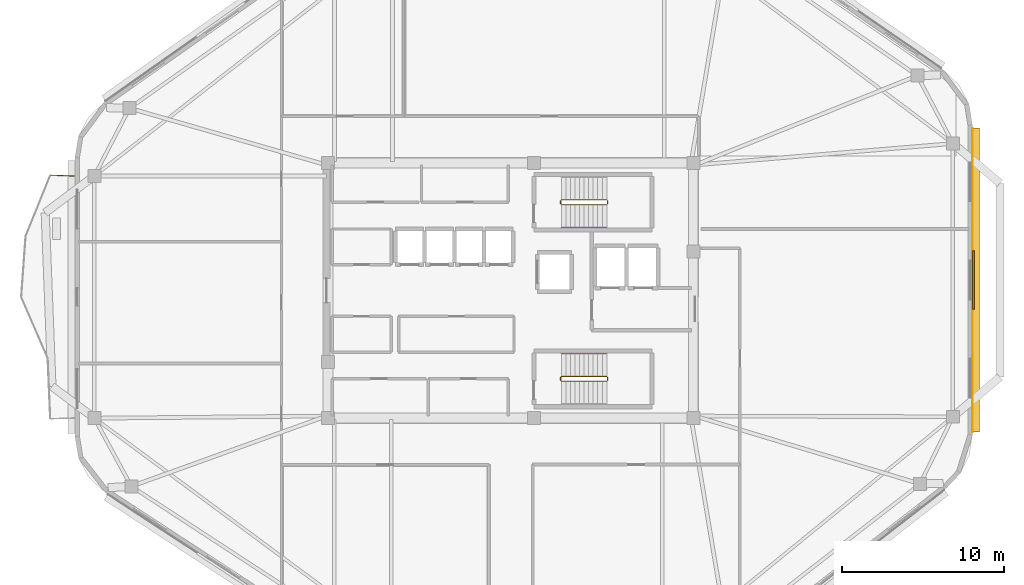
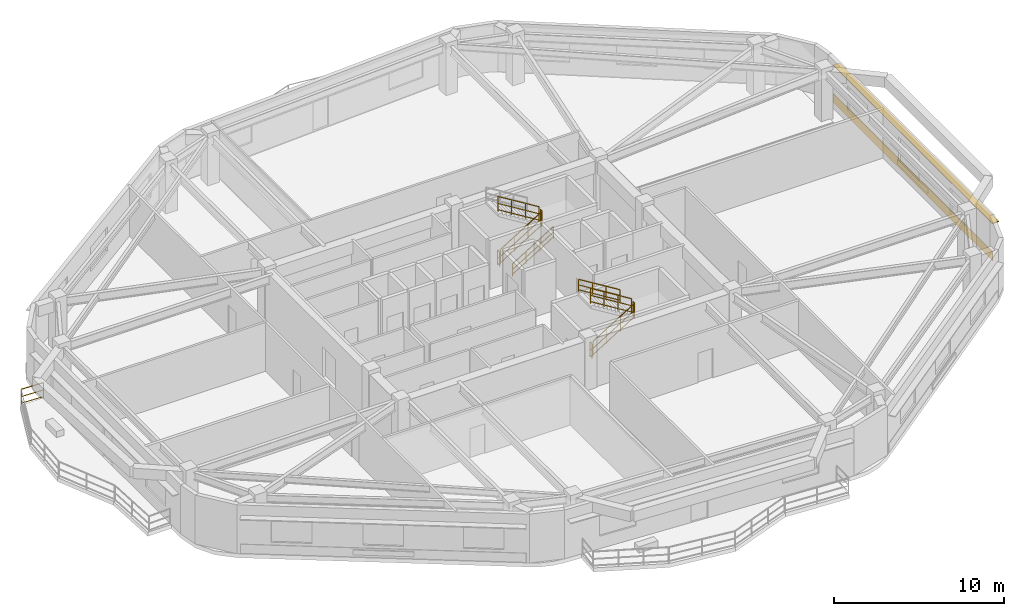
# One storey, part 8 of 9: 11 railings, 2 shading devices, 1 covering.
"""IFC4 building model written with IfcOpenShell, lengths in metres."""

from ifc_helpers import new_model, si_unit, direction, frame, origin, origin_2d, place, context, subcontext, project, spatial, rectangle, extrude, material, layer, layer_set, type_object, element, save


model = new_model("IFC4")

# Units and contexts
model_context = context("Model", 3, precision=1e-05, world=origin(), true_north=direction((0.0, 1.0)))
body_context = subcontext(model_context, "Body", "Model", "MODEL_VIEW")
ifc_project = project(units=[si_unit("LENGTHUNIT", "METRE"), si_unit("AREAUNIT", "SQUARE_METRE"), si_unit("VOLUMEUNIT", "CUBIC_METRE"), si_unit("PLANEANGLEUNIT", "RADIAN"), si_unit("MASSUNIT", "GRAM", prefix="KILO")], contexts=[model_context])

# Site, building, storey
site_placement = place(None, origin())
site = spatial("IfcSite", under=ifc_project, at=site_placement, CompositionType="ELEMENT")
building_placement = place(site_placement, origin())
building = spatial("IfcBuilding", under=site, at=building_placement, Name="Zulverin Broadcast Headquarters", CompositionType="ELEMENT")
storey_placement = place(building_placement, frame((0.0, 0.0, 259.199951171875)))
storey = spatial("IfcBuildingStorey", under=building, at=storey_placement, Name="L66", CompositionType="ELEMENT", Elevation=259.199951171875)

# Covering
ifc_material_1 = material(Name="Brushed pale-aluminium rainscreen cladding", Category="aluminium")
ifc_layer_1 = layer(ifc_material_1, 0.0400390625, Name="Brushed pale-aluminium rainscreen cladding", Category="aluminium")
ifc_layer_set_1 = layer_set([ifc_layer_1], Name="Brushed pale-aluminium rainscreen cladding")
covering_type = type_object("IfcCoveringType", Name="COV-CLAD-PALE", PredefinedType="CLADDING", material=ifc_layer_set_1)
covering_placement = place(storey_placement, frame((65.510009765625, 25.841796875, 0.05517578125), z_axis=(0.0, 0.0, 1.0), x_axis=(0.0, 1.0, 0.0)))
element("IfcCovering", 1, at=covering_placement, inside=storey, type_object=covering_type, Name="L66 Brushed Pale-Aluminium Spandrel Cladding 3", PredefinedType="CLADDING", context=body_context, shape_type="SweptSolid", body=[
    extrude(rectangle(XDim=18.76806640625, YDim=0.0400390625, at=origin_2d()), origin(), (0.0, 0.0, 1.0), 0.64990234375),
])

# Railings
ifc_material_2 = material(Name="Brushed stainless steel & laminated glass balustrade", Category="steel")
railing_type_1 = type_object("IfcRailingType", Name="RL-GUARD-1150", PredefinedType="GUARDRAIL", material=ifc_material_2)
railing_1_placement = place(storey_placement, frame((10.06005859375, 32.265380859375, 0.0)))
element("IfcRailing", 2, at=railing_1_placement, inside=storey, type_object=railing_type_1, Name="L66 Vertical-Forest Balcony Guardrail BAL_W Segment 01", PredefinedType="GUARDRAIL", context=body_context, shape_type="SweptSolid", body=[
    extrude(rectangle(XDim=0.048095703125, YDim=0.048095703125, at=origin_2d()), frame((0.0, 0.0, 1.1259765625), z_axis=(-0.999181155166, 0.040460093435, 0.0), x_axis=(-0.040460093435, -0.999181155166, 0.0)), (0.0, 0.0, 1.0), 1.46630859375),
    extrude(rectangle(XDim=0.0419921875, YDim=0.0419921875, at=origin_2d()), frame((0.0, 0.0, 0.597900390625), z_axis=(-0.999181155166, 0.040460093435, 0.0), x_axis=(-0.040460093435, -0.999181155166, 0.0)), (0.0, 0.0, 1.0), 1.46630859375),
    extrude(rectangle(XDim=0.0419921875, YDim=0.0419921875, at=origin_2d()), frame((0.0, 0.0, 0.1201171875), z_axis=(-0.999181155166, 0.040460093435, 0.0), x_axis=(-0.040460093435, -0.999181155166, 0.0)), (0.0, 0.0, 1.0), 1.46630859375),
    extrude(rectangle(XDim=0.0419921875, YDim=0.0419921875, at=origin_2d()), origin(), (0.0, 0.0, 1.0), 1.101806640625),
    extrude(rectangle(XDim=0.0419921875, YDim=0.0419921875, at=origin_2d()), frame((-1.465087890625, 0.059326171875, 0.0)), (0.0, 0.0, 1.0), 1.101806640625),
])
ifc_material_3 = material(Name="Painted galvanized steel tubular guardrail S355JR", Category="steel")
railing_type_2 = type_object("IfcRailingType", Name="RL-ST-GUARD", PredefinedType="GUARDRAIL", material=ifc_material_3)
railing_2_placement = place(storey_placement, frame((40.1298828125, 30.5, 0.1728515625)))
element("IfcRailing", 3, at=railing_2_placement, inside=storey, type_object=railing_type_2, Name="L66 ST-1 stair guard 1", PredefinedType="GUARDRAIL", context=body_context, shape_type="SweptSolid", body=[
    extrude(rectangle(XDim=0.048095703125, YDim=0.048095703125, at=origin_2d()), frame((0.0, 0.0, 1.076171875), z_axis=(0.851089632645, 0.0, 0.525020415988), x_axis=(0.0, 1.0, 0.0)), (0.0, 0.0, 1.0), 3.2900390625),
    extrude(rectangle(XDim=0.0419921875, YDim=0.0419921875, at=origin_2d()), frame((0.0, 0.0, 0.572021484375), z_axis=(0.851089632645, 0.0, 0.525020415988), x_axis=(0.0, 1.0, 0.0)), (0.0, 0.0, 1.0), 3.2900390625),
    extrude(rectangle(XDim=0.0419921875, YDim=0.0419921875, at=origin_2d()), frame((0.0, 0.0, 0.1201171875), z_axis=(0.851089632645, 0.0, 0.525020415988), x_axis=(0.0, 1.0, 0.0)), (0.0, 0.0, 1.0), 3.2900390625),
    extrude(rectangle(XDim=0.0419921875, YDim=0.0419921875, at=origin_2d()), origin(), (0.0, 0.0, 1.0), 1.052001953125),
    extrude(rectangle(XDim=0.0419921875, YDim=0.0419921875, at=origin_2d()), frame((0.933349609375, 0.0, 0.57568359375)), (0.0, 0.0, 1.0), 1.052001953125),
    extrude(rectangle(XDim=0.0419921875, YDim=0.0419921875, at=origin_2d()), frame((1.86669921875, 0.0, 1.151611328125)), (0.0, 0.0, 1.0), 1.052001953125),
    extrude(rectangle(XDim=0.0419921875, YDim=0.0419921875, at=origin_2d()), frame((2.800048828125, 0.0, 1.727294921875)), (0.0, 0.0, 1.0), 1.052001953125),
])
railing_3_placement = place(storey_placement, frame((42.97998046875, 30.550048828125, 1.900146484375)))
element("IfcRailing", 4, at=railing_3_placement, inside=storey, type_object=railing_type_2, Name="L66 ST-1 stair guard 2", PredefinedType="GUARDRAIL", context=body_context, shape_type="SweptSolid", body=[
    extrude(rectangle(XDim=0.048095703125, YDim=0.048095703125, at=origin_2d()), frame((0.0, 0.0, 1.076171875), z_axis=(0.0, 1.0, 0.0), x_axis=(-1.0, 0.0, 0.0)), (0.0, 0.0, 1.0), 0.199951171875),
    extrude(rectangle(XDim=0.0419921875, YDim=0.0419921875, at=origin_2d()), frame((0.0, 0.0, 0.572021484375), z_axis=(0.0, 1.0, 0.0), x_axis=(-1.0, 0.0, 0.0)), (0.0, 0.0, 1.0), 0.199951171875),
    extrude(rectangle(XDim=0.0419921875, YDim=0.0419921875, at=origin_2d()), frame((0.0, 0.0, 0.1201171875), z_axis=(0.0, 1.0, 0.0), x_axis=(-1.0, 0.0, 0.0)), (0.0, 0.0, 1.0), 0.199951171875),
    extrude(rectangle(XDim=0.0419921875, YDim=0.0419921875, at=origin_2d()), origin(), (0.0, 0.0, 1.0), 1.052001953125),
    extrude(rectangle(XDim=0.0419921875, YDim=0.0419921875, at=origin_2d()), frame((0.0, 0.199951171875, 0.0)), (0.0, 0.0, 1.0), 1.052001953125),
])
railing_4_placement = place(storey_placement, frame((42.929931640625, 30.800048828125, 2.07275390625)))
element("IfcRailing", 5, at=railing_4_placement, inside=storey, type_object=railing_type_2, Name="L66 ST-1 stair guard 3", PredefinedType="GUARDRAIL", context=body_context, shape_type="SweptSolid", body=[
    extrude(rectangle(XDim=0.048095703125, YDim=0.048095703125, at=origin_2d()), frame((0.0, 0.0, 1.076171875), z_axis=(-0.851089632645, 0.0, 0.525020415988), x_axis=(0.0, -1.0, 0.0)), (0.0, 0.0, 1.0), 3.2900390625),
    extrude(rectangle(XDim=0.0419921875, YDim=0.0419921875, at=origin_2d()), frame((0.0, 0.0, 0.572021484375), z_axis=(-0.851089632645, 0.0, 0.525020415988), x_axis=(0.0, -1.0, 0.0)), (0.0, 0.0, 1.0), 3.2900390625),
    extrude(rectangle(XDim=0.0419921875, YDim=0.0419921875, at=origin_2d()), frame((0.0, 0.0, 0.1201171875), z_axis=(-0.851089632645, 0.0, 0.525020415988), x_axis=(0.0, -1.0, 0.0)), (0.0, 0.0, 1.0), 3.2900390625),
    extrude(rectangle(XDim=0.0419921875, YDim=0.0419921875, at=origin_2d()), origin(), (0.0, 0.0, 1.0), 1.052001953125),
    extrude(rectangle(XDim=0.0419921875, YDim=0.0419921875, at=origin_2d()), frame((-0.933349609375, 0.0, 0.57568359375)), (0.0, 0.0, 1.0), 1.052001953125),
    extrude(rectangle(XDim=0.0419921875, YDim=0.0419921875, at=origin_2d()), frame((-1.86669921875, 0.0, 1.151611328125)), (0.0, 0.0, 1.0), 1.052001953125),
    extrude(rectangle(XDim=0.0419921875, YDim=0.0419921875, at=origin_2d()), frame((-2.800048828125, 0.0, 1.727294921875)), (0.0, 0.0, 1.0), 1.052001953125),
])
railing_5_placement = place(storey_placement, frame((40.080078125, 30.550048828125, 0.0)))
element("IfcRailing", 6, at=railing_5_placement, inside=storey, type_object=railing_type_2, Name="L66 ST-1 stair guard 4", PredefinedType="GUARDRAIL", context=body_context, shape_type="SweptSolid", body=[
    extrude(rectangle(XDim=0.048095703125, YDim=0.048095703125, at=origin_2d()), frame((0.0, 0.0, 1.076171875), z_axis=(0.0, 1.0, 0.0), x_axis=(-1.0, 0.0, 0.0)), (0.0, 0.0, 1.0), 0.199951171875),
    extrude(rectangle(XDim=0.0419921875, YDim=0.0419921875, at=origin_2d()), frame((0.0, 0.0, 0.572021484375), z_axis=(0.0, 1.0, 0.0), x_axis=(-1.0, 0.0, 0.0)), (0.0, 0.0, 1.0), 0.199951171875),
    extrude(rectangle(XDim=0.0419921875, YDim=0.0419921875, at=origin_2d()), frame((0.0, 0.0, 0.1201171875), z_axis=(0.0, 1.0, 0.0), x_axis=(-1.0, 0.0, 0.0)), (0.0, 0.0, 1.0), 0.199951171875),
    extrude(rectangle(XDim=0.0419921875, YDim=0.0419921875, at=origin_2d()), origin(), (0.0, 0.0, 1.0), 1.052001953125),
    extrude(rectangle(XDim=0.0419921875, YDim=0.0419921875, at=origin_2d()), frame((0.0, 0.199951171875, 0.0)), (0.0, 0.0, 1.0), 1.052001953125),
])
railing_6_placement = place(storey_placement, frame((40.1298828125, 19.60009765625, 0.1728515625)))
element("IfcRailing", 7, at=railing_6_placement, inside=storey, type_object=railing_type_2, Name="L66 ST-2 stair guard 1", PredefinedType="GUARDRAIL", context=body_context, shape_type="SweptSolid", body=[
    extrude(rectangle(XDim=0.048095703125, YDim=0.048095703125, at=origin_2d()), frame((0.0, 0.0, 1.076171875), z_axis=(0.851089632645, 0.0, 0.525020415988), x_axis=(0.0, 1.0, 0.0)), (0.0, 0.0, 1.0), 3.2900390625),
    extrude(rectangle(XDim=0.0419921875, YDim=0.0419921875, at=origin_2d()), frame((0.0, 0.0, 0.572021484375), z_axis=(0.851089632645, 0.0, 0.525020415988), x_axis=(0.0, 1.0, 0.0)), (0.0, 0.0, 1.0), 3.2900390625),
    extrude(rectangle(XDim=0.0419921875, YDim=0.0419921875, at=origin_2d()), frame((0.0, 0.0, 0.1201171875), z_axis=(0.851089632645, 0.0, 0.525020415988), x_axis=(0.0, 1.0, 0.0)), (0.0, 0.0, 1.0), 3.2900390625),
    extrude(rectangle(XDim=0.0419921875, YDim=0.0419921875, at=origin_2d()), origin(), (0.0, 0.0, 1.0), 1.052001953125),
    extrude(rectangle(XDim=0.0419921875, YDim=0.0419921875, at=origin_2d()), frame((0.933349609375, 0.0, 0.57568359375)), (0.0, 0.0, 1.0), 1.052001953125),
    extrude(rectangle(XDim=0.0419921875, YDim=0.0419921875, at=origin_2d()), frame((1.86669921875, 0.0, 1.151611328125)), (0.0, 0.0, 1.0), 1.052001953125),
    extrude(rectangle(XDim=0.0419921875, YDim=0.0419921875, at=origin_2d()), frame((2.800048828125, 0.0, 1.727294921875)), (0.0, 0.0, 1.0), 1.052001953125),
])
railing_7_placement = place(storey_placement, frame((42.97998046875, 19.64990234375, 1.900146484375)))
element("IfcRailing", 8, at=railing_7_placement, inside=storey, type_object=railing_type_2, Name="L66 ST-2 stair guard 2", PredefinedType="GUARDRAIL", context=body_context, shape_type="SweptSolid", body=[
    extrude(rectangle(XDim=0.048095703125, YDim=0.048095703125, at=origin_2d()), frame((0.0, 0.0, 1.076171875), z_axis=(0.0, 1.0, 0.0), x_axis=(-1.0, 0.0, 0.0)), (0.0, 0.0, 1.0), 0.2001953125),
    extrude(rectangle(XDim=0.0419921875, YDim=0.0419921875, at=origin_2d()), frame((0.0, 0.0, 0.572021484375), z_axis=(0.0, 1.0, 0.0), x_axis=(-1.0, 0.0, 0.0)), (0.0, 0.0, 1.0), 0.2001953125),
    extrude(rectangle(XDim=0.0419921875, YDim=0.0419921875, at=origin_2d()), frame((0.0, 0.0, 0.1201171875), z_axis=(0.0, 1.0, 0.0), x_axis=(-1.0, 0.0, 0.0)), (0.0, 0.0, 1.0), 0.2001953125),
    extrude(rectangle(XDim=0.0419921875, YDim=0.0419921875, at=origin_2d()), origin(), (0.0, 0.0, 1.0), 1.052001953125),
    extrude(rectangle(XDim=0.0419921875, YDim=0.0419921875, at=origin_2d()), frame((0.0, 0.2001953125, 0.0)), (0.0, 0.0, 1.0), 1.052001953125),
])
railing_8_placement = place(storey_placement, frame((42.929931640625, 19.89990234375, 2.07275390625)))
element("IfcRailing", 9, at=railing_8_placement, inside=storey, type_object=railing_type_2, Name="L66 ST-2 stair guard 3", PredefinedType="GUARDRAIL", context=body_context, shape_type="SweptSolid", body=[
    extrude(rectangle(XDim=0.048095703125, YDim=0.048095703125, at=origin_2d()), frame((0.0, 0.0, 1.076171875), z_axis=(-0.851089632645, 0.0, 0.525020415988), x_axis=(0.0, -1.0, 0.0)), (0.0, 0.0, 1.0), 3.2900390625),
    extrude(rectangle(XDim=0.0419921875, YDim=0.0419921875, at=origin_2d()), frame((0.0, 0.0, 0.572021484375), z_axis=(-0.851089632645, 0.0, 0.525020415988), x_axis=(0.0, -1.0, 0.0)), (0.0, 0.0, 1.0), 3.2900390625),
    extrude(rectangle(XDim=0.0419921875, YDim=0.0419921875, at=origin_2d()), frame((0.0, 0.0, 0.1201171875), z_axis=(-0.851089632645, 0.0, 0.525020415988), x_axis=(0.0, -1.0, 0.0)), (0.0, 0.0, 1.0), 3.2900390625),
    extrude(rectangle(XDim=0.0419921875, YDim=0.0419921875, at=origin_2d()), origin(), (0.0, 0.0, 1.0), 1.052001953125),
    extrude(rectangle(XDim=0.0419921875, YDim=0.0419921875, at=origin_2d()), frame((-0.933349609375, 0.0, 0.57568359375)), (0.0, 0.0, 1.0), 1.052001953125),
    extrude(rectangle(XDim=0.0419921875, YDim=0.0419921875, at=origin_2d()), frame((-1.86669921875, 0.0, 1.151611328125)), (0.0, 0.0, 1.0), 1.052001953125),
    extrude(rectangle(XDim=0.0419921875, YDim=0.0419921875, at=origin_2d()), frame((-2.800048828125, 0.0, 1.727294921875)), (0.0, 0.0, 1.0), 1.052001953125),
])
railing_9_placement = place(storey_placement, frame((40.080078125, 19.64990234375, 0.0)))
element("IfcRailing", 10, at=railing_9_placement, inside=storey, type_object=railing_type_2, Name="L66 ST-2 stair guard 4", PredefinedType="GUARDRAIL", context=body_context, shape_type="SweptSolid", body=[
    extrude(rectangle(XDim=0.048095703125, YDim=0.048095703125, at=origin_2d()), frame((0.0, 0.0, 1.076171875), z_axis=(0.0, 1.0, 0.0), x_axis=(-1.0, 0.0, 0.0)), (0.0, 0.0, 1.0), 0.2001953125),
    extrude(rectangle(XDim=0.0419921875, YDim=0.0419921875, at=origin_2d()), frame((0.0, 0.0, 0.572021484375), z_axis=(0.0, 1.0, 0.0), x_axis=(-1.0, 0.0, 0.0)), (0.0, 0.0, 1.0), 0.2001953125),
    extrude(rectangle(XDim=0.0419921875, YDim=0.0419921875, at=origin_2d()), frame((0.0, 0.0, 0.1201171875), z_axis=(0.0, 1.0, 0.0), x_axis=(-1.0, 0.0, 0.0)), (0.0, 0.0, 1.0), 0.2001953125),
    extrude(rectangle(XDim=0.0419921875, YDim=0.0419921875, at=origin_2d()), origin(), (0.0, 0.0, 1.0), 1.052001953125),
    extrude(rectangle(XDim=0.0419921875, YDim=0.0419921875, at=origin_2d()), frame((0.0, 0.2001953125, 0.0)), (0.0, 0.0, 1.0), 1.052001953125),
])
ifc_material_4 = material(Name="Brushed stainless steel 48 mm handrail", Category="steel")
railing_type_3 = type_object("IfcRailingType", Name="RL-ST-HAND", PredefinedType="HANDRAIL", material=ifc_material_4)
railing_10_placement = place(storey_placement, frame((40.1298828125, 29.10009765625, 0.1728515625)))
element("IfcRailing", 11, at=railing_10_placement, inside=storey, type_object=railing_type_3, Name="L66 ST-1 stair handrail 1", PredefinedType="HANDRAIL", context=body_context, shape_type="SweptSolid", body=[
    extrude(rectangle(XDim=0.048095703125, YDim=0.048095703125, at=origin_2d()), frame((0.0, 0.0, 0.8759765625), z_axis=(0.851089632645, 0.0, 0.525020415988), x_axis=(0.0, 1.0, 0.0)), (0.0, 0.0, 1.0), 3.2900390625),
    extrude(rectangle(XDim=0.0419921875, YDim=0.0419921875, at=origin_2d()), frame((0.0, 0.0, 0.468017578125), z_axis=(0.851089632645, 0.0, 0.525020415988), x_axis=(0.0, 1.0, 0.0)), (0.0, 0.0, 1.0), 3.2900390625),
    extrude(rectangle(XDim=0.0419921875, YDim=0.0419921875, at=origin_2d()), frame((0.0, 0.0, 0.1201171875), z_axis=(0.851089632645, 0.0, 0.525020415988), x_axis=(0.0, 1.0, 0.0)), (0.0, 0.0, 1.0), 3.2900390625),
    extrude(rectangle(XDim=0.0419921875, YDim=0.0419921875, at=origin_2d()), origin(), (0.0, 0.0, 1.0), 0.851806640625),
    extrude(rectangle(XDim=0.0419921875, YDim=0.0419921875, at=origin_2d()), frame((0.933349609375, 0.0, 0.57568359375)), (0.0, 0.0, 1.0), 0.851806640625),
    extrude(rectangle(XDim=0.0419921875, YDim=0.0419921875, at=origin_2d()), frame((1.86669921875, 0.0, 1.151611328125)), (0.0, 0.0, 1.0), 0.851806640625),
    extrude(rectangle(XDim=0.0419921875, YDim=0.0419921875, at=origin_2d()), frame((2.800048828125, 0.0, 1.727294921875)), (0.0, 0.0, 1.0), 0.851806640625),
])
railing_11_placement = place(storey_placement, frame((42.929931640625, 21.300048828125, 2.07275390625)))
element("IfcRailing", 12, at=railing_11_placement, inside=storey, type_object=railing_type_3, Name="L66 ST-2 stair handrail 2", PredefinedType="HANDRAIL", context=body_context, shape_type="SweptSolid", body=[
    extrude(rectangle(XDim=0.048095703125, YDim=0.048095703125, at=origin_2d()), frame((0.0, 0.0, 0.8759765625), z_axis=(-0.851089632645, 0.0, 0.525020415988), x_axis=(0.0, -1.0, 0.0)), (0.0, 0.0, 1.0), 3.2900390625),
    extrude(rectangle(XDim=0.0419921875, YDim=0.0419921875, at=origin_2d()), frame((0.0, 0.0, 0.468017578125), z_axis=(-0.851089632645, 0.0, 0.525020415988), x_axis=(0.0, -1.0, 0.0)), (0.0, 0.0, 1.0), 3.2900390625),
    extrude(rectangle(XDim=0.0419921875, YDim=0.0419921875, at=origin_2d()), frame((0.0, 0.0, 0.1201171875), z_axis=(-0.851089632645, 0.0, 0.525020415988), x_axis=(0.0, -1.0, 0.0)), (0.0, 0.0, 1.0), 3.2900390625),
    extrude(rectangle(XDim=0.0419921875, YDim=0.0419921875, at=origin_2d()), origin(), (0.0, 0.0, 1.0), 0.851806640625),
    extrude(rectangle(XDim=0.0419921875, YDim=0.0419921875, at=origin_2d()), frame((-0.933349609375, 0.0, 0.57568359375)), (0.0, 0.0, 1.0), 0.851806640625),
    extrude(rectangle(XDim=0.0419921875, YDim=0.0419921875, at=origin_2d()), frame((-1.86669921875, 0.0, 1.151611328125)), (0.0, 0.0, 1.0), 0.851806640625),
    extrude(rectangle(XDim=0.0419921875, YDim=0.0419921875, at=origin_2d()), frame((-2.800048828125, 0.0, 1.727294921875)), (0.0, 0.0, 1.0), 0.851806640625),
])

# Shading devices
ifc_material_5 = material(Name="Anodized pale-metal aluminium acoustic louvre", Category="aluminium")
shading_device_type_1 = type_object("IfcShadingDeviceType", Name="SHD-LOUVRE-350", PredefinedType="USERDEFINED", material=ifc_material_5)
shading_device_1_placement = place(storey_placement, frame((65.5400390625, 25.841796875, 0.2451171875), z_axis=(0.0, 0.0, 1.0), x_axis=(0.0, 1.0, 0.0)))
element("IfcShadingDevice", 13, at=shading_device_1_placement, inside=storey, type_object=shading_device_type_1, Name="L66 Spandrel Intake Louvre 3", ObjectType="LOUVRE", PredefinedType="USERDEFINED", context=body_context, shape_type="SweptSolid", body=[
    extrude(rectangle(XDim=3.60009765625, YDim=0.1201171875, at=origin_2d()), origin(), (0.0, 0.0, 1.0), 0.35009765625),
])
ifc_material_6 = material(Name="Anodized pale-metal aluminium sunshade", Category="aluminium")
ifc_layer_2 = layer(ifc_material_6, 0.06005859375, Name="Anodized pale-metal aluminium sunshade", Category="aluminium")
ifc_layer_set_2 = layer_set([ifc_layer_2], Name="Anodized pale-metal aluminium sunshade")
shading_device_type_2 = type_object("IfcShadingDeviceType", Name="SS-01_PALE_METAL_ALUMINIUM_SUNSHADE", PredefinedType="USERDEFINED", material=ifc_layer_set_2)
shading_device_2_placement = place(storey_placement, frame((65.699951171875, 25.841796875, 2.7099609375), z_axis=(0.0, 0.0, 1.0), x_axis=(0.0, 1.0, 0.0)))
element("IfcShadingDevice", 14, at=shading_device_2_placement, inside=storey, type_object=shading_device_type_2, Name="L66 Horizontal Pale-Metal Sunshade Band 3", ObjectType="SUNSHADE", PredefinedType="USERDEFINED", context=body_context, shape_type="SweptSolid", body=[
    extrude(rectangle(XDim=18.76806640625, YDim=0.449951171875, at=origin_2d()), origin(), (0.0, 0.0, 1.0), 0.06005859375),
])

save(model, "model.ifc")
